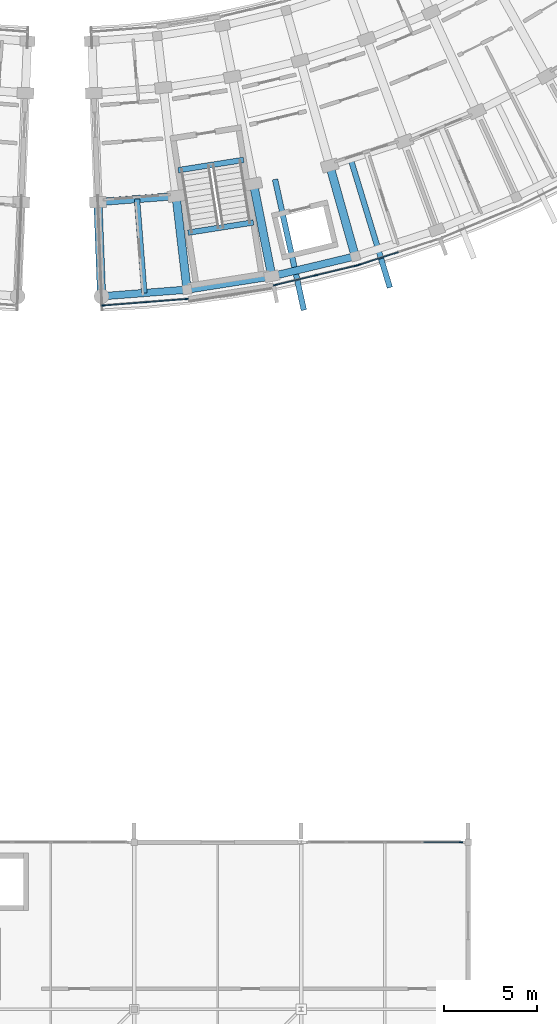
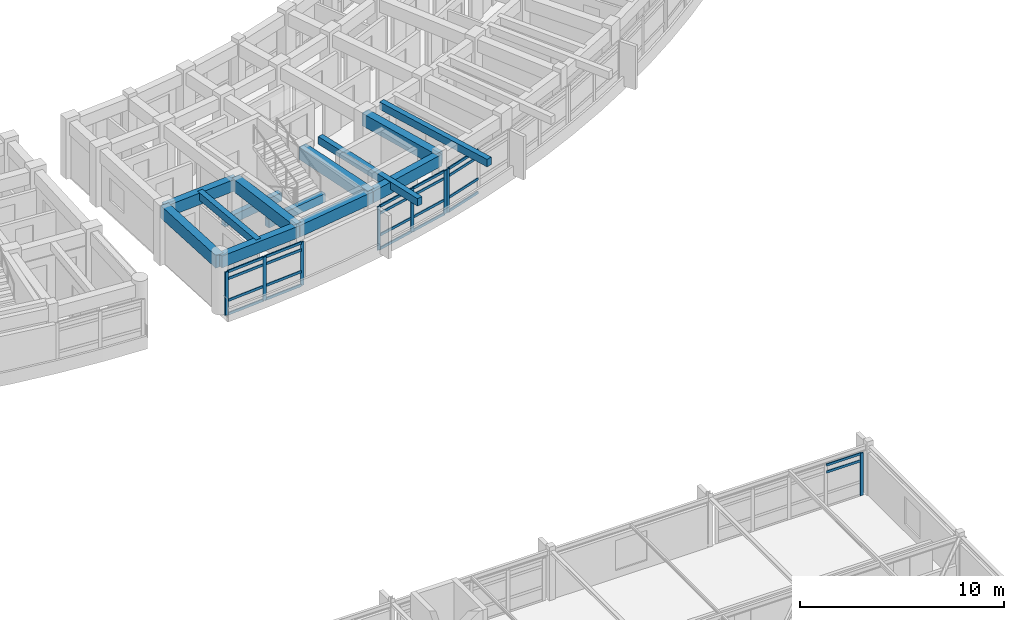
# One storey, part 36 of 83: 30 members, 13 beams, 4 elements without a shape of their own.
"""IFC4 building model written with IfcOpenShell, lengths in metres."""

from ifc_helpers import new_model, si_unit, direction, frame, origin, origin_2d, place, context, subcontext, project, spatial, rectangle, extrude, material, material_profile, profile_set, type_object, element, aggregate, save


model = new_model("IFC4")

# Units and contexts
model_context = context("Model", 3, precision=1e-05, world=origin(), true_north=direction((0.0, 1.0)))
body_context = subcontext(model_context, "Body", "Model", "MODEL_VIEW")
ifc_project = project(units=[si_unit("LENGTHUNIT", "METRE"), si_unit("AREAUNIT", "SQUARE_METRE"), si_unit("VOLUMEUNIT", "CUBIC_METRE"), si_unit("PLANEANGLEUNIT", "RADIAN"), si_unit("MASSUNIT", "GRAM", prefix="KILO")], contexts=[model_context])

# Site, building, storey
site_placement = place(None, origin())
site = spatial("IfcSite", under=ifc_project, at=site_placement, CompositionType="ELEMENT")
building_placement = place(site_placement, origin())
building = spatial("IfcBuilding", under=site, at=building_placement, Name="Zimvara Arc Housing Community", CompositionType="ELEMENT")
storey_placement = place(building_placement, frame((0.0, 0.0, 4.5)))
storey = spatial("IfcBuildingStorey", under=building, at=storey_placement, Name="L01", CompositionType="ELEMENT", Elevation=4.5)

# Beams
ifc_material_1 = material(Name="Concrete C40/50", Category="concrete")
ifc_material_profile_1 = material_profile(ifc_material_1, rectangle(XDim=0.300048828125, YDim=0.449951171875, at=origin_2d()), Name="RC 300x450")
ifc_profile_set_1 = profile_set([ifc_material_profile_1], Name="Concrete C40/50")
beam_type_1 = type_object("IfcBeamType", Name="BM-RC-300x450", PredefinedType="JOIST", material=ifc_profile_set_1)
beam_1_placement = place(storey_placement, frame((130.151123046875, 56.263427734375, 3.135009765625), z_axis=(0.077579175615, -0.996986194243, 0.0), x_axis=(0.996986194243, 0.077579175615, 0.0)))
element("IfcBeam", 1, at=beam_1_placement, inside=storey, type_object=beam_type_1, Name="bm:blkD:L01:joist:b0", PredefinedType="JOIST", context=body_context, shape_type="SweptSolid", body=[
    extrude(rectangle(XDim=0.300048828125, YDim=0.449951171875, at=origin_2d()), origin(), (0.0, 0.0, 1.0), 5.076171875),
])
for number, where, z_axis, x_axis, name in (
    (2, (137.587890625, 57.3271484375, 3.1650390625), (0.215734466533, -0.97645206741, 0.0), (0.97645206741, 0.215734466533, 0.0), "bm:blkD:L01:cant_out:b2"),
    (3, (141.673583984375, 58.39990234375, 3.1650390625), (0.29171593415, -0.95650499934, 0.0), (0.95650499934, 0.29171593415, 0.0), "bm:blkD:L01:cant_out:b3"),
):
    element("IfcBeam", number, at=place(storey_placement, frame(where, z_axis=z_axis, x_axis=x_axis)), inside=storey, type_object=beam_type_1, Name=name, PredefinedType="JOIST", context=body_context, shape_type="SweptSolid", body=[
        extrude(rectangle(XDim=0.300048828125, YDim=0.449951171875, at=origin_2d()), origin(), (0.0, 0.0, 1.0), 7.219970703125),
    ])
ifc_material_2 = material(Name="Concrete C40/50", Category="concrete")
ifc_material_profile_2 = material_profile(ifc_material_2, rectangle(XDim=0.300048828125, YDim=0.5, at=origin_2d()), Name="RC 300x500")
ifc_profile_set_2 = profile_set([ifc_material_profile_2], Name="Concrete C40/50")
beam_type_2 = type_object("IfcBeamType", Name="BM-RC-300x500", PredefinedType="BEAM", material=ifc_profile_set_2)
for number, where, z_axis, x_axis, name in (
    (4, (132.36865234375, 57.8203125, -0.25), (0.987823881982, 0.155576277709, 0.0), (-0.155576277709, 0.987823881982, 0.0), "bm:stair_trim:ST-D1:L01:near"),
    (5, (132.899169921875, 54.451904296875, 1.550048828125), (0.987823881982, 0.155576277709, 0.0), (-0.155576277709, 0.987823881982, 0.0), "bm:stair_trim:ST-D1:L01:mid"),
):
    element("IfcBeam", number, at=place(storey_placement, frame(where, z_axis=z_axis, x_axis=x_axis)), inside=storey, type_object=beam_type_2, Name=name, PredefinedType="BEAM", context=body_context, shape_type="SweptSolid", body=[
        extrude(rectangle(XDim=0.300048828125, YDim=0.5, at=origin_2d()), origin(), (0.0, 0.0, 1.0), 3.570068359375),
    ])
ifc_material_3 = material(Name="Concrete C40/50", Category="concrete")
ifc_material_profile_3 = material_profile(ifc_material_3, rectangle(XDim=0.39990234375, YDim=0.699951171875, at=origin_2d()), Name="RC 400x700")
ifc_profile_set_3 = profile_set([ifc_material_profile_3], Name="Concrete C40/50")
beam_type_3 = type_object("IfcBeamType", Name="BM-RC-400x700", PredefinedType="BEAM", material=ifc_profile_set_3)
beam_2_placement = place(storey_placement, frame((128.045166015625, 56.099609375, 3.010009765625), z_axis=(0.996983350574, 0.077615711543, 0.0), x_axis=(-0.077615711543, 0.996983350574, 0.0)))
element("IfcBeam", 6, at=beam_2_placement, inside=storey, type_object=beam_type_3, Name="bm:blkD:L01:chord:r2:b0", PredefinedType="BEAM", context=body_context, shape_type="SweptSolid", body=[
    extrude(rectangle(XDim=0.39990234375, YDim=0.699951171875, at=origin_2d()), origin(), (0.0, 0.0, 1.0), 4.224365234375),
])
for number, where, z_axis, x_axis, name in (
    (7, (128.240234375, 51.0234375, 3.010009765625), (0.996986694494, 0.077572746515, 0.0), (-0.077572746515, 0.996986694494, 0.0), "bm:blkD:L01:chord:r3:b0"),
    (8, (132.849609375, 51.382080078125, 3.010009765625), (0.987824544931, 0.155572068287, 0.0), (-0.155572068287, 0.987824544931, 0.0), "bm:blkD:L01:chord:r3:b1"),
):
    element("IfcBeam", number, at=place(storey_placement, frame(where, z_axis=z_axis, x_axis=x_axis)), inside=storey, type_object=beam_type_3, Name=name, PredefinedType="BEAM", context=body_context, shape_type="SweptSolid", body=[
        extrude(rectangle(XDim=0.39990234375, YDim=0.699951171875, at=origin_2d()), origin(), (0.0, 0.0, 1.0), 4.623291015625),
    ])
beam_3_placement = place(storey_placement, frame((137.41650390625, 52.101318359375, 3.010009765625), z_axis=(0.972567724572, 0.232619906974, 0.0), x_axis=(-0.232619906974, 0.972567724572, 0.0)))
element("IfcBeam", 9, at=beam_3_placement, inside=storey, type_object=beam_type_3, Name="bm:blkD:L01:chord:r3:b2", PredefinedType="BEAM", context=body_context, shape_type="SweptSolid", body=[
    extrude(rectangle(XDim=0.39990234375, YDim=0.699951171875, at=origin_2d()), origin(), (0.0, 0.0, 1.0), 4.623046875),
])
ifc_material_4 = material(Name="Concrete C40/50", Category="concrete")
ifc_material_profile_4 = material_profile(ifc_material_4, rectangle(XDim=0.449951171875, YDim=0.75, at=origin_2d()), Name="RC 450x750")
ifc_profile_set_4 = profile_set([ifc_material_profile_4], Name="Concrete C40/50")
beam_type_4 = type_object("IfcBeamType", Name="BM-RC-450x750", PredefinedType="BEAM", material=ifc_profile_set_4)
beam_4_placement = place(storey_placement, frame((128.045166015625, 56.099609375, 2.985107421875), z_axis=(0.038399898954, -0.999262451892, 0.0), x_axis=(0.999262451892, 0.038399898954, 0.0)))
element("IfcBeam", 10, at=beam_4_placement, inside=storey, type_object=beam_type_4, Name="bm:blkD:L01:rad:b0:r23", PredefinedType="BEAM", context=body_context, shape_type="SweptSolid", body=[
    extrude(rectangle(XDim=0.449951171875, YDim=0.75, at=origin_2d()), origin(), (0.0, 0.0, 1.0), 5.079833984375),
])
for number, where, z_axis, x_axis, name in (
    (11, (132.2568359375, 56.427490234375, 2.985107421875), (0.116685098261, -0.993168962384, 0.0), (0.993168962384, 0.116685098261, 0.0), "bm:blkD:L01:rad:b1:r23"),
    (12, (136.4296875, 57.084716796875, 2.985107421875), (0.194248925774, -0.980952269397, 0.0), (0.980952269397, 0.194248925774, 0.0), "bm:blkD:L01:rad:b2:r23"),
):
    element("IfcBeam", number, at=place(storey_placement, frame(where, z_axis=z_axis, x_axis=x_axis)), inside=storey, type_object=beam_type_4, Name=name, PredefinedType="BEAM", context=body_context, shape_type="SweptSolid", body=[
        extrude(rectangle(XDim=0.449951171875, YDim=0.75, at=origin_2d()), origin(), (0.0, 0.0, 1.0), 5.080078125),
    ])
beam_5_placement = place(storey_placement, frame((140.538330078125, 58.067138671875, 2.985107421875), z_axis=(0.270579949442, -0.962697507507, 0.0), x_axis=(0.962697507507, 0.270579949442, 0.0)))
element("IfcBeam", 13, at=beam_5_placement, inside=storey, type_object=beam_type_4, Name="bm:blkD:L01:rad:b3:r23", PredefinedType="BEAM", context=body_context, shape_type="SweptSolid", body=[
    extrude(rectangle(XDim=0.449951171875, YDim=0.75, at=origin_2d()), origin(), (0.0, 0.0, 1.0), 5.079833984375),
])

# Curtain wall, member
ifc_material_5 = material(Name="Anodised Aluminium AW-6063", Category="aluminium")
curtain_wall_type_1 = type_object("IfcCurtainWallType", Name="CW-SYS-04", PredefinedType="USERDEFINED", material=ifc_material_5)
curtain_wall_1_placement = place(storey_placement, origin())
curtain_wall_1 = element("IfcCurtainWall", 14, at=curtain_wall_1_placement, inside=storey, type_object=curtain_wall_type_1, Name="cw:nursery:L01:north:b3", ObjectType="CURTAIN WALL", PredefinedType="USERDEFINED")
ifc_material_6 = material(Name="Anodised Aluminium AW-6063", Category="aluminium")
ifc_material_profile_5 = material_profile(ifc_material_6, rectangle(XDim=0.06494140625, YDim=0.179931640625, at=origin_2d()), Name="ALU 65x180")
ifc_profile_set_5 = profile_set([ifc_material_profile_5], Name="Anodised Aluminium AW-6063")
member_type_1 = type_object("IfcMemberType", Name="CWM-65x150", PredefinedType="MULLION", material=ifc_profile_set_5)
member_1_placement = place(storey_placement, frame((147.607421875, 21.60009765625, 0.0), z_axis=(0.0, 0.0, 1.0), x_axis=(0.0, 1.0, 0.0)))
member_1 = element("IfcMember", 15, at=member_1_placement, type_object=member_type_1, Name="CW04 mullion 5", PredefinedType="MULLION", context=body_context, shape_type="SweptSolid", body=[
    extrude(rectangle(XDim=0.06494140625, YDim=0.179931640625, at=origin_2d()), origin(), (0.0, 0.0, 1.0), 2.550048828125),
])

# Curtain wall, members
ifc_material_7 = material(Name="Anodised Aluminium AW-6063", Category="aluminium")
curtain_wall_type_2 = type_object("IfcCurtainWallType", Name="CW-SYS-05", PredefinedType="USERDEFINED", material=ifc_material_7)
curtain_wall_2_placement = place(storey_placement, origin())
curtain_wall_2 = element("IfcCurtainWall", 16, at=curtain_wall_2_placement, inside=storey, type_object=curtain_wall_type_2, Name="cw:blkD:L01:out:b0", ObjectType="CURTAIN WALL", PredefinedType="USERDEFINED")
ifc_material_8 = material(Name="Anodised Aluminium AW-6063", Category="aluminium")
ifc_material_profile_6 = material_profile(ifc_material_8, rectangle(XDim=0.06494140625, YDim=0.195068359375, at=origin_2d()), Name="ALU 65x195")
ifc_profile_set_6 = profile_set([ifc_material_profile_6], Name="Anodised Aluminium AW-6063")
member_type_2 = type_object("IfcMemberType", Name="CWM-65x180", PredefinedType="MULLION", material=ifc_profile_set_6)
member_2_placement = place(storey_placement, frame((128.351806640625, 50.531005859375, 0.0), z_axis=(0.0, 0.0, 1.0), x_axis=(-0.077589538059, 0.996985387849, 0.0)))
member_2 = element("IfcMember", 17, at=member_2_placement, type_object=member_type_2, Name="CW05 mullion 1", PredefinedType="MULLION", context=body_context, shape_type="SweptSolid", body=[
    extrude(rectangle(XDim=0.06494140625, YDim=0.195068359375, at=origin_2d()), origin(), (0.0, 0.0, 1.0), 2.60009765625),
])
member_3_placement = place(storey_placement, frame((130.583740234375, 50.70458984375, 0.0), z_axis=(0.0, 0.0, 1.0), x_axis=(-0.077589538059, 0.996985387849, 0.0)))
member_3 = element("IfcMember", 18, at=member_3_placement, type_object=member_type_2, Name="CW05 mullion 2", PredefinedType="MULLION", context=body_context, shape_type="SweptSolid", body=[
    extrude(rectangle(XDim=0.06494140625, YDim=0.195068359375, at=origin_2d()), origin(), (0.0, 0.0, 1.0), 2.60009765625),
])
member_4_placement = place(storey_placement, frame((132.815673828125, 50.87841796875, 0.0), z_axis=(0.0, 0.0, 1.0), x_axis=(-0.077589538059, 0.996985387849, 0.0)))
member_4 = element("IfcMember", 19, at=member_4_placement, type_object=member_type_2, Name="CW05 mullion 3", PredefinedType="MULLION", context=body_context, shape_type="SweptSolid", body=[
    extrude(rectangle(XDim=0.06494140625, YDim=0.195068359375, at=origin_2d()), origin(), (0.0, 0.0, 1.0), 2.60009765625),
])

ifc_material_9 = material(Name="Anodised Aluminium AW-6063", Category="aluminium")
curtain_wall_type_3 = type_object("IfcCurtainWallType", Name="CW-SYS-07", PredefinedType="USERDEFINED", material=ifc_material_9)
curtain_wall_3_placement = place(storey_placement, origin())
curtain_wall_3 = element("IfcCurtainWall", 20, at=curtain_wall_3_placement, inside=storey, type_object=curtain_wall_type_3, Name="cw:blkD:L01:out:b2", ObjectType="CURTAIN WALL", PredefinedType="USERDEFINED")
member_5_placement = place(storey_placement, frame((137.603515625, 51.63232421875, 0.0), z_axis=(0.0, 0.0, 1.0), x_axis=(-0.232596798101, 0.97257325149, 0.0)))
member_5 = element("IfcMember", 21, at=member_5_placement, type_object=member_type_2, Name="CW07 mullion 1", PredefinedType="MULLION", context=body_context, shape_type="SweptSolid", body=[
    extrude(rectangle(XDim=0.06494140625, YDim=0.195068359375, at=origin_2d()), origin(), (0.0, 0.0, 1.0), 2.60009765625),
])
member_6_placement = place(storey_placement, frame((139.781005859375, 52.153076171875, 0.0), z_axis=(0.0, 0.0, 1.0), x_axis=(-0.232596798101, 0.97257325149, 0.0)))
member_6 = element("IfcMember", 22, at=member_6_placement, type_object=member_type_2, Name="CW07 mullion 2", PredefinedType="MULLION", context=body_context, shape_type="SweptSolid", body=[
    extrude(rectangle(XDim=0.06494140625, YDim=0.195068359375, at=origin_2d()), origin(), (0.0, 0.0, 1.0), 2.60009765625),
])
member_7_placement = place(storey_placement, frame((141.958251953125, 52.673828125, 0.0), z_axis=(0.0, 0.0, 1.0), x_axis=(-0.232596798101, 0.97257325149, 0.0)))
member_7 = element("IfcMember", 23, at=member_7_placement, type_object=member_type_2, Name="CW07 mullion 3", PredefinedType="MULLION", context=body_context, shape_type="SweptSolid", body=[
    extrude(rectangle(XDim=0.06494140625, YDim=0.195068359375, at=origin_2d()), origin(), (0.0, 0.0, 1.0), 2.60009765625),
])

# Curtain wall, member
ifc_material_10 = material(Name="Anodised Aluminium AW-6063", Category="aluminium")
curtain_wall_type_4 = type_object("IfcCurtainWallType", Name="CW-SYS-01", PredefinedType="USERDEFINED", material=ifc_material_10)
curtain_wall_4_placement = place(storey_placement, origin())
curtain_wall_4 = element("IfcCurtainWall", 24, at=curtain_wall_4_placement, inside=storey, type_object=curtain_wall_type_4, Name="cw:blkD:L01:out:b3", ObjectType="CURTAIN WALL", PredefinedType="USERDEFINED")
member_8_placement = place(storey_placement, frame((142.13623046875, 52.723876953125, 0.0), z_axis=(0.0, 0.0, 1.0), x_axis=(-0.308184952203, 0.951326460914, 0.0)))
member_8 = element("IfcMember", 25, at=member_8_placement, type_object=member_type_2, Name="CW01 mullion 1", PredefinedType="MULLION", context=body_context, shape_type="SweptSolid", body=[
    extrude(rectangle(XDim=0.06494140625, YDim=0.195068359375, at=origin_2d()), origin(), (0.0, 0.0, 1.0), 2.60009765625),
])

# Member
ifc_material_11 = material(Name="Anodised Aluminium AW-6063", Category="aluminium")
ifc_material_profile_7 = material_profile(ifc_material_11, rectangle(XDim=0.06494140625, YDim=0.139892578125, at=origin_2d()), Name="ALU 65x140")
ifc_profile_set_7 = profile_set([ifc_material_profile_7], Name="Anodised Aluminium AW-6063")
member_type_3 = type_object("IfcMemberType", Name="CWT-65x120", PredefinedType="USERDEFINED", material=ifc_profile_set_7)
member_9_placement = place(storey_placement, frame((145.6025390625, 21.60009765625, 2.10009765625), z_axis=(1.0, 0.0, 0.0), x_axis=(0.0, 1.0, 0.0)))
member_9 = element("IfcMember", 26, at=member_9_placement, type_object=member_type_3, Name="CW04 transom 4.3", ObjectType="TRANSOM", PredefinedType="USERDEFINED", context=body_context, shape_type="SweptSolid", body=[
    extrude(rectangle(XDim=0.06494140625, YDim=0.139892578125, at=origin_2d()), origin(), (0.0, 0.0, 1.0), 1.972412109375),
])

member_10_placement = place(storey_placement, frame((145.6025390625, 21.60009765625, 2.517578125), z_axis=(1.0, 0.0, 0.0), x_axis=(0.0, 1.0, 0.0)))
member_10 = element("IfcMember", 27, at=member_10_placement, type_object=member_type_3, Name="CW04 transom 4.4", ObjectType="TRANSOM", PredefinedType="USERDEFINED", context=body_context, shape_type="SweptSolid", body=[
    extrude(rectangle(XDim=0.06494140625, YDim=0.139892578125, at=origin_2d()), origin(), (0.0, 0.0, 1.0), 1.972412109375),
])

aggregate(curtain_wall_1, [member_1, member_9, member_10])

ifc_material_12 = material(Name="Anodised Aluminium AW-6063", Category="aluminium")
ifc_material_profile_8 = material_profile(ifc_material_12, rectangle(XDim=0.06494140625, YDim=0.155029296875, at=origin_2d()), Name="ALU 65x155")
ifc_profile_set_8 = profile_set([ifc_material_profile_8], Name="Anodised Aluminium AW-6063")
member_type_4 = type_object("IfcMemberType", Name="CWT-65x140", PredefinedType="USERDEFINED", material=ifc_profile_set_8)
member_11_placement = place(storey_placement, frame((128.384033203125, 50.533447265625, 0.032470703125), z_axis=(0.99698404072, 0.077606846022, 0.0), x_axis=(-0.077606846022, 0.99698404072, 0.0)))
member_11 = element("IfcMember", 28, at=member_11_placement, type_object=member_type_4, Name="CW05 transom 1.1", ObjectType="TRANSOM", PredefinedType="USERDEFINED", context=body_context, shape_type="SweptSolid", body=[
    extrude(rectangle(XDim=0.06494140625, YDim=0.155029296875, at=origin_2d()), origin(), (0.0, 0.0, 1.0), 2.173828125),
])

member_12_placement = place(storey_placement, frame((128.384033203125, 50.533447265625, 0.85009765625), z_axis=(0.99698404072, 0.077606846022, 0.0), x_axis=(-0.077606846022, 0.99698404072, 0.0)))
member_12 = element("IfcMember", 29, at=member_12_placement, type_object=member_type_4, Name="CW05 transom 1.2", ObjectType="TRANSOM", PredefinedType="USERDEFINED", context=body_context, shape_type="SweptSolid", body=[
    extrude(rectangle(XDim=0.06494140625, YDim=0.155029296875, at=origin_2d()), origin(), (0.0, 0.0, 1.0), 2.173828125),
])

member_13_placement = place(storey_placement, frame((128.384033203125, 50.533447265625, 2.14990234375), z_axis=(0.99698404072, 0.077606846022, 0.0), x_axis=(-0.077606846022, 0.99698404072, 0.0)))
member_13 = element("IfcMember", 30, at=member_13_placement, type_object=member_type_4, Name="CW05 transom 1.3", ObjectType="TRANSOM", PredefinedType="USERDEFINED", context=body_context, shape_type="SweptSolid", body=[
    extrude(rectangle(XDim=0.06494140625, YDim=0.155029296875, at=origin_2d()), origin(), (0.0, 0.0, 1.0), 2.173828125),
])

member_14_placement = place(storey_placement, frame((128.384033203125, 50.533447265625, 2.5673828125), z_axis=(0.99698404072, 0.077606846022, 0.0), x_axis=(-0.077606846022, 0.99698404072, 0.0)))
member_14 = element("IfcMember", 31, at=member_14_placement, type_object=member_type_4, Name="CW05 transom 1.4", ObjectType="TRANSOM", PredefinedType="USERDEFINED", context=body_context, shape_type="SweptSolid", body=[
    extrude(rectangle(XDim=0.06494140625, YDim=0.155029296875, at=origin_2d()), origin(), (0.0, 0.0, 1.0), 2.173828125),
])

member_15_placement = place(storey_placement, frame((130.6162109375, 50.707275390625, 0.032470703125), z_axis=(0.996992049751, 0.0775038885, 0.0), x_axis=(-0.0775038885, 0.996992049751, 0.0)))
member_15 = element("IfcMember", 32, at=member_15_placement, type_object=member_type_4, Name="CW05 transom 2.1", ObjectType="TRANSOM", PredefinedType="USERDEFINED", context=body_context, shape_type="SweptSolid", body=[
    extrude(rectangle(XDim=0.06494140625, YDim=0.155029296875, at=origin_2d()), origin(), (0.0, 0.0, 1.0), 2.173583984375),
])

member_16_placement = place(storey_placement, frame((130.6162109375, 50.707275390625, 0.85009765625), z_axis=(0.996992049751, 0.0775038885, 0.0), x_axis=(-0.0775038885, 0.996992049751, 0.0)))
member_16 = element("IfcMember", 33, at=member_16_placement, type_object=member_type_4, Name="CW05 transom 2.2", ObjectType="TRANSOM", PredefinedType="USERDEFINED", context=body_context, shape_type="SweptSolid", body=[
    extrude(rectangle(XDim=0.06494140625, YDim=0.155029296875, at=origin_2d()), origin(), (0.0, 0.0, 1.0), 2.173583984375),
])

member_17_placement = place(storey_placement, frame((130.6162109375, 50.707275390625, 2.14990234375), z_axis=(0.996992049751, 0.0775038885, 0.0), x_axis=(-0.0775038885, 0.996992049751, 0.0)))
member_17 = element("IfcMember", 34, at=member_17_placement, type_object=member_type_4, Name="CW05 transom 2.3", ObjectType="TRANSOM", PredefinedType="USERDEFINED", context=body_context, shape_type="SweptSolid", body=[
    extrude(rectangle(XDim=0.06494140625, YDim=0.155029296875, at=origin_2d()), origin(), (0.0, 0.0, 1.0), 2.173583984375),
])

member_18_placement = place(storey_placement, frame((130.6162109375, 50.707275390625, 2.5673828125), z_axis=(0.996992049751, 0.0775038885, 0.0), x_axis=(-0.0775038885, 0.996992049751, 0.0)))
member_18 = element("IfcMember", 35, at=member_18_placement, type_object=member_type_4, Name="CW05 transom 2.4", ObjectType="TRANSOM", PredefinedType="USERDEFINED", context=body_context, shape_type="SweptSolid", body=[
    extrude(rectangle(XDim=0.06494140625, YDim=0.155029296875, at=origin_2d()), origin(), (0.0, 0.0, 1.0), 2.173583984375),
])

aggregate(curtain_wall_2, [member_2, member_3, member_4, member_11, member_12, member_13, member_14, member_15, member_16, member_17, member_18])

member_19_placement = place(storey_placement, frame((137.63525390625, 51.639892578125, 0.032470703125), z_axis=(0.972569501663, 0.232612476954, 0.0), x_axis=(-0.232612476954, 0.972569501663, 0.0)))
member_19 = element("IfcMember", 36, at=member_19_placement, type_object=member_type_4, Name="CW07 transom 1.1", ObjectType="TRANSOM", PredefinedType="USERDEFINED", context=body_context, shape_type="SweptSolid", body=[
    extrude(rectangle(XDim=0.06494140625, YDim=0.155029296875, at=origin_2d()), origin(), (0.0, 0.0, 1.0), 2.173583984375),
])

member_20_placement = place(storey_placement, frame((137.63525390625, 51.639892578125, 0.85009765625), z_axis=(0.972569501663, 0.232612476954, 0.0), x_axis=(-0.232612476954, 0.972569501663, 0.0)))
member_20 = element("IfcMember", 37, at=member_20_placement, type_object=member_type_4, Name="CW07 transom 1.2", ObjectType="TRANSOM", PredefinedType="USERDEFINED", context=body_context, shape_type="SweptSolid", body=[
    extrude(rectangle(XDim=0.06494140625, YDim=0.155029296875, at=origin_2d()), origin(), (0.0, 0.0, 1.0), 2.173583984375),
])

member_21_placement = place(storey_placement, frame((137.63525390625, 51.639892578125, 2.14990234375), z_axis=(0.972569501663, 0.232612476954, 0.0), x_axis=(-0.232612476954, 0.972569501663, 0.0)))
member_21 = element("IfcMember", 38, at=member_21_placement, type_object=member_type_4, Name="CW07 transom 1.3", ObjectType="TRANSOM", PredefinedType="USERDEFINED", context=body_context, shape_type="SweptSolid", body=[
    extrude(rectangle(XDim=0.06494140625, YDim=0.155029296875, at=origin_2d()), origin(), (0.0, 0.0, 1.0), 2.173583984375),
])

member_22_placement = place(storey_placement, frame((137.63525390625, 51.639892578125, 2.5673828125), z_axis=(0.972569501663, 0.232612476954, 0.0), x_axis=(-0.232612476954, 0.972569501663, 0.0)))
member_22 = element("IfcMember", 39, at=member_22_placement, type_object=member_type_4, Name="CW07 transom 1.4", ObjectType="TRANSOM", PredefinedType="USERDEFINED", context=body_context, shape_type="SweptSolid", body=[
    extrude(rectangle(XDim=0.06494140625, YDim=0.155029296875, at=origin_2d()), origin(), (0.0, 0.0, 1.0), 2.173583984375),
])

member_23_placement = place(storey_placement, frame((139.8125, 52.16064453125, 0.032470703125), z_axis=(0.972575578083, 0.232587069539, 0.0), x_axis=(-0.232587069539, 0.972575578083, 0.0)))
member_23 = element("IfcMember", 40, at=member_23_placement, type_object=member_type_4, Name="CW07 transom 2.1", ObjectType="TRANSOM", PredefinedType="USERDEFINED", context=body_context, shape_type="SweptSolid", body=[
    extrude(rectangle(XDim=0.06494140625, YDim=0.155029296875, at=origin_2d()), origin(), (0.0, 0.0, 1.0), 2.173828125),
])

member_24_placement = place(storey_placement, frame((139.8125, 52.16064453125, 0.85009765625), z_axis=(0.972575578083, 0.232587069539, 0.0), x_axis=(-0.232587069539, 0.972575578083, 0.0)))
member_24 = element("IfcMember", 41, at=member_24_placement, type_object=member_type_4, Name="CW07 transom 2.2", ObjectType="TRANSOM", PredefinedType="USERDEFINED", context=body_context, shape_type="SweptSolid", body=[
    extrude(rectangle(XDim=0.06494140625, YDim=0.155029296875, at=origin_2d()), origin(), (0.0, 0.0, 1.0), 2.173828125),
])

member_25_placement = place(storey_placement, frame((139.8125, 52.16064453125, 2.14990234375), z_axis=(0.972575578083, 0.232587069539, 0.0), x_axis=(-0.232587069539, 0.972575578083, 0.0)))
member_25 = element("IfcMember", 42, at=member_25_placement, type_object=member_type_4, Name="CW07 transom 2.3", ObjectType="TRANSOM", PredefinedType="USERDEFINED", context=body_context, shape_type="SweptSolid", body=[
    extrude(rectangle(XDim=0.06494140625, YDim=0.155029296875, at=origin_2d()), origin(), (0.0, 0.0, 1.0), 2.173828125),
])

member_26_placement = place(storey_placement, frame((139.8125, 52.16064453125, 2.5673828125), z_axis=(0.972575578083, 0.232587069539, 0.0), x_axis=(-0.232587069539, 0.972575578083, 0.0)))
member_26 = element("IfcMember", 43, at=member_26_placement, type_object=member_type_4, Name="CW07 transom 2.4", ObjectType="TRANSOM", PredefinedType="USERDEFINED", context=body_context, shape_type="SweptSolid", body=[
    extrude(rectangle(XDim=0.06494140625, YDim=0.155029296875, at=origin_2d()), origin(), (0.0, 0.0, 1.0), 2.173828125),
])

aggregate(curtain_wall_3, [member_5, member_6, member_7, member_19, member_20, member_21, member_22, member_23, member_24, member_25, member_26])

member_27_placement = place(storey_placement, frame((142.167236328125, 52.73388671875, 0.032470703125), z_axis=(0.951322540295, 0.308197054377, 0.0), x_axis=(-0.308197054377, 0.951322540295, 0.0)))
member_27 = element("IfcMember", 44, at=member_27_placement, type_object=member_type_4, Name="CW01 transom 1.1", ObjectType="TRANSOM", PredefinedType="USERDEFINED", context=body_context, shape_type="SweptSolid", body=[
    extrude(rectangle(XDim=0.06494140625, YDim=0.155029296875, at=origin_2d()), origin(), (0.0, 0.0, 1.0), 2.173583984375),
])

member_28_placement = place(storey_placement, frame((142.167236328125, 52.73388671875, 0.85009765625), z_axis=(0.951322540295, 0.308197054377, 0.0), x_axis=(-0.308197054377, 0.951322540295, 0.0)))
member_28 = element("IfcMember", 45, at=member_28_placement, type_object=member_type_4, Name="CW01 transom 1.2", ObjectType="TRANSOM", PredefinedType="USERDEFINED", context=body_context, shape_type="SweptSolid", body=[
    extrude(rectangle(XDim=0.06494140625, YDim=0.155029296875, at=origin_2d()), origin(), (0.0, 0.0, 1.0), 2.173583984375),
])

member_29_placement = place(storey_placement, frame((142.167236328125, 52.73388671875, 2.14990234375), z_axis=(0.951322540295, 0.308197054377, 0.0), x_axis=(-0.308197054377, 0.951322540295, 0.0)))
member_29 = element("IfcMember", 46, at=member_29_placement, type_object=member_type_4, Name="CW01 transom 1.3", ObjectType="TRANSOM", PredefinedType="USERDEFINED", context=body_context, shape_type="SweptSolid", body=[
    extrude(rectangle(XDim=0.06494140625, YDim=0.155029296875, at=origin_2d()), origin(), (0.0, 0.0, 1.0), 2.173583984375),
])

member_30_placement = place(storey_placement, frame((142.167236328125, 52.73388671875, 2.5673828125), z_axis=(0.951322540295, 0.308197054377, 0.0), x_axis=(-0.308197054377, 0.951322540295, 0.0)))
member_30 = element("IfcMember", 47, at=member_30_placement, type_object=member_type_4, Name="CW01 transom 1.4", ObjectType="TRANSOM", PredefinedType="USERDEFINED", context=body_context, shape_type="SweptSolid", body=[
    extrude(rectangle(XDim=0.06494140625, YDim=0.155029296875, at=origin_2d()), origin(), (0.0, 0.0, 1.0), 2.173583984375),
])

aggregate(curtain_wall_4, [member_8, member_27, member_28, member_29, member_30])

save(model, "model.ifc")
